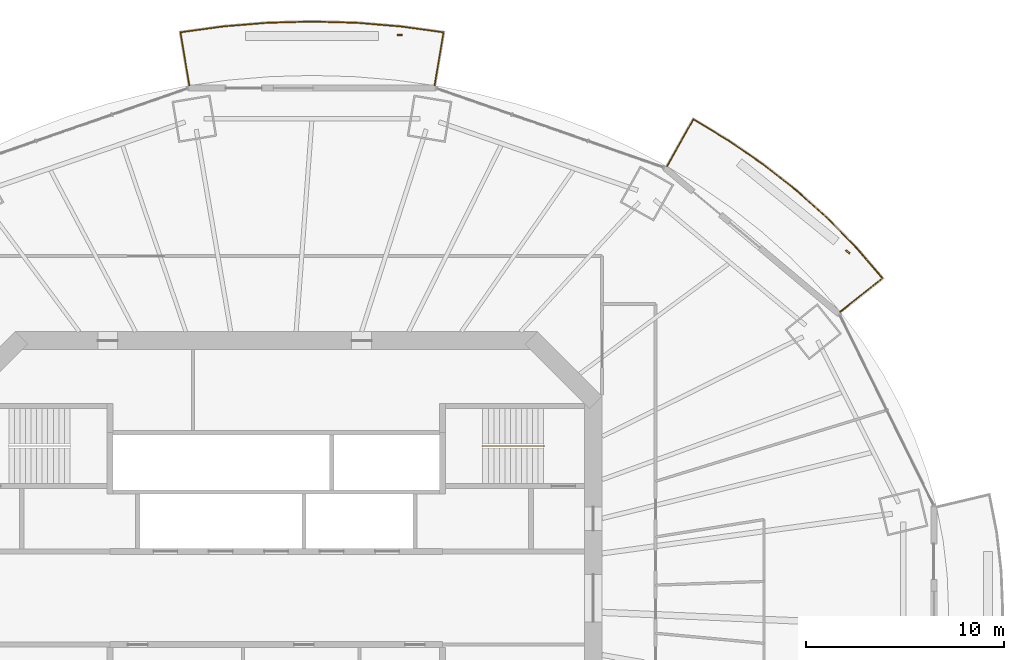
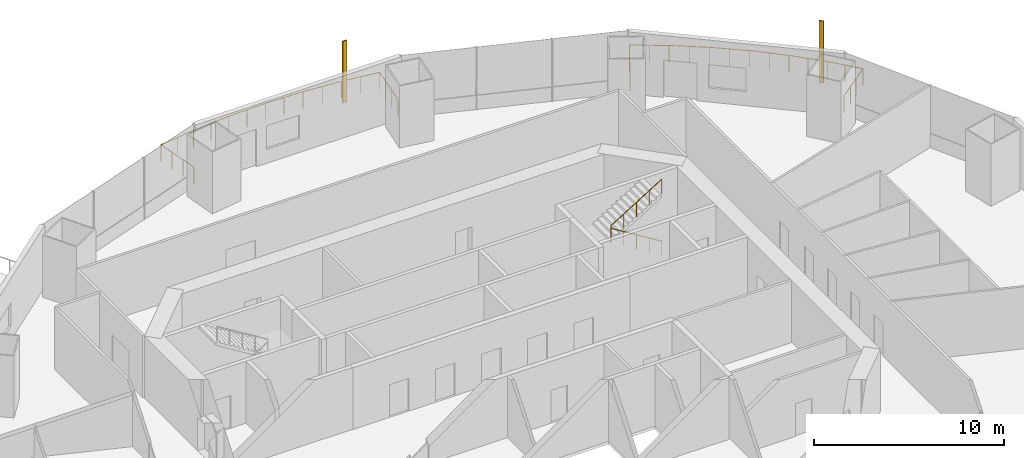
# One storey, part 18 of 20: 3 railings, 2 shading devices.
"""IFC4 building model written with IfcOpenShell, lengths in metres."""

from ifc_helpers import new_model, si_unit, direction, frame, origin, origin_2d, place, context, subcontext, project, spatial, rectangle, circle, extrude, material, material_profile, profile_set, type_object, element, save


model = new_model("IFC4")

# Units and contexts
model_context = context("Model", 3, precision=1e-05, world=origin(), true_north=direction((0.0, 1.0)))
body_context = subcontext(model_context, "Body", "Model", "MODEL_VIEW")
ifc_project = project(units=[si_unit("LENGTHUNIT", "METRE"), si_unit("AREAUNIT", "SQUARE_METRE"), si_unit("VOLUMEUNIT", "CUBIC_METRE"), si_unit("PLANEANGLEUNIT", "RADIAN"), si_unit("MASSUNIT", "GRAM", prefix="KILO")], contexts=[model_context])

# Site, building, storey
site_placement = place(None, origin())
site = spatial("IfcSite", under=ifc_project, at=site_placement, CompositionType="ELEMENT")
building_placement = place(site_placement, origin())
building = spatial("IfcBuilding", under=site, at=building_placement, Name="Marenthal Gate Tower", CompositionType="ELEMENT")
storey_placement = place(building_placement, frame((0.0, 0.0, 190.10009765625)))
storey = spatial("IfcBuildingStorey", under=building, at=storey_placement, Name="L41", CompositionType="ELEMENT", Elevation=190.10009765625)

# Railings
ifc_material_1 = material(Name="Stainless steel", Category="steel")
railing_type_1 = type_object("IfcRailingType", Name="Balcony guard 1100", PredefinedType="GUARDRAIL", material=ifc_material_1)
railing_1_placement = place(storey_placement, frame((19.722900390625, 21.794677734375, 0.0)))
element("IfcRailing", 1, at=railing_1_placement, inside=storey, type_object=railing_type_1, Name="Balcony guard L41 bay 2", PredefinedType="GUARDRAIL", context=body_context, shape_type="SweptSolid", body=[
    extrude(circle(Radius=0.02392578125, at=origin_2d()), frame((0.0, 0.0, 1.076171875), z_axis=(0.489547574491, 0.871852371435, -0.014717837253), x_axis=(-0.871946814813, 0.489600604715, 0.0)), (0.0, 0.0, 1.0), 2.720458984375),
    extrude(circle(Radius=0.02392578125, at=origin_2d()), frame((1.331787109375, 2.371826171875, 1.0361328125), z_axis=(0.856237767515, -0.516581925236, 0.0), x_axis=(0.516581925236, 0.856237767515, 0.0)), (0.0, 0.0, 1.0), 2.080810546875),
    extrude(circle(Radius=0.02392578125, at=origin_2d()), frame((3.113525390625, 1.296875, 1.0361328125), z_axis=(0.823420107604, -0.567432221849, 0.0), x_axis=(0.567432221849, 0.823420107604, 0.0)), (0.0, 0.0, 1.0), 2.14404296875),
    extrude(circle(Radius=0.02392578125, at=origin_2d()), frame((4.87890625, 0.080322265625, 1.0361328125), z_axis=(0.786051281146, -0.61816129239, 0.0), x_axis=(0.61816129239, 0.786051281146, 0.0)), (0.0, 0.0, 1.0), 2.1259765625),
    extrude(circle(Radius=0.02392578125, at=origin_2d()), frame((6.550048828125, -1.23388671875, 1.0361328125), z_axis=(0.744571425907, -0.667542801416, 0.0), x_axis=(0.667542801416, 0.744571425907, 0.0)), (0.0, 0.0, 1.0), 2.107666015625),
    extrude(circle(Radius=0.02392578125, at=origin_2d()), frame((8.119384765625, -2.640869140625, 1.0361328125), z_axis=(0.69888270328, -0.715236301551, 0.0), x_axis=(0.715236301551, 0.69888270328, 0.0)), (0.0, 0.0, 1.0), 2.090087890625),
    extrude(circle(Radius=0.02392578125, at=origin_2d()), frame((9.580078125, -4.1357421875, 1.0361328125), z_axis=(0.65027659014, -0.759697542655, 0.0), x_axis=(0.759697542655, 0.65027659014, 0.0)), (0.0, 0.0, 1.0), 1.992431640625),
    extrude(circle(Radius=0.02392578125, at=origin_2d()), frame((10.875732421875, -5.6494140625, 1.0361328125), z_axis=(-0.782654389214, -0.622282483065, 0.01471795893), x_axis=(0.622349892908, -0.782739171626, 0.0)), (0.0, 0.0, 1.0), 2.720458984375),
    extrude(circle(Radius=0.02099609375, at=origin_2d()), origin(), (0.0, 0.0, 1.0), 1.052001953125),
    extrude(circle(Radius=0.02099609375, at=origin_2d()), frame((0.44384765625, 0.79052734375, -0.013427734375)), (0.0, 0.0, 1.0), 1.052001953125),
    extrude(circle(Radius=0.02099609375, at=origin_2d()), frame((0.887939453125, 1.581298828125, -0.026611328125)), (0.0, 0.0, 1.0), 1.052001953125),
    extrude(circle(Radius=0.02099609375, at=origin_2d()), frame((1.331787109375, 2.371826171875, -0.0400390625)), (0.0, 0.0, 1.0), 1.052001953125),
    extrude(circle(Radius=0.02099609375, at=origin_2d()), frame((2.22265625, 1.83447265625, -0.0400390625)), (0.0, 0.0, 1.0), 1.052001953125),
    extrude(circle(Radius=0.02099609375, at=origin_2d()), frame((3.113525390625, 1.296875, -0.0400390625)), (0.0, 0.0, 1.0), 1.052001953125),
    extrude(circle(Radius=0.02099609375, at=origin_2d()), frame((3.99609375, 0.6884765625, -0.0400390625)), (0.0, 0.0, 1.0), 1.052001953125),
    extrude(circle(Radius=0.02099609375, at=origin_2d()), frame((4.87890625, 0.080322265625, -0.0400390625)), (0.0, 0.0, 1.0), 1.052001953125),
    extrude(circle(Radius=0.02099609375, at=origin_2d()), frame((5.71435546875, -0.57666015625, -0.0400390625)), (0.0, 0.0, 1.0), 1.052001953125),
    extrude(circle(Radius=0.02099609375, at=origin_2d()), frame((6.550048828125, -1.23388671875, -0.0400390625)), (0.0, 0.0, 1.0), 1.052001953125),
    extrude(circle(Radius=0.02099609375, at=origin_2d()), frame((7.334716796875, -1.9375, -0.0400390625)), (0.0, 0.0, 1.0), 1.052001953125),
    extrude(circle(Radius=0.02099609375, at=origin_2d()), frame((8.119384765625, -2.640869140625, -0.0400390625)), (0.0, 0.0, 1.0), 1.052001953125),
    extrude(circle(Radius=0.02099609375, at=origin_2d()), frame((8.849609375, -3.38818359375, -0.0400390625)), (0.0, 0.0, 1.0), 1.052001953125),
    extrude(circle(Radius=0.02099609375, at=origin_2d()), frame((9.580078125, -4.1357421875, -0.0400390625)), (0.0, 0.0, 1.0), 1.052001953125),
    extrude(circle(Radius=0.02099609375, at=origin_2d()), frame((10.22802734375, -4.892578125, -0.0400390625)), (0.0, 0.0, 1.0), 1.052001953125),
    extrude(circle(Radius=0.02099609375, at=origin_2d()), frame((10.875732421875, -5.6494140625, -0.0400390625)), (0.0, 0.0, 1.0), 1.052001953125),
    extrude(circle(Radius=0.02099609375, at=origin_2d()), frame((10.166015625, -6.213623046875, -0.026611328125)), (0.0, 0.0, 1.0), 1.052001953125),
    extrude(circle(Radius=0.02099609375, at=origin_2d()), frame((9.456298828125, -6.778076171875, -0.013427734375)), (0.0, 0.0, 1.0), 1.052001953125),
    extrude(circle(Radius=0.02099609375, at=origin_2d()), frame((8.74658203125, -7.34228515625, 0.0)), (0.0, 0.0, 1.0), 1.052001953125),
])
railing_2_placement = place(storey_placement, frame((-4.390380859375, 25.875732421875, 0.0)))
element("IfcRailing", 2, at=railing_2_placement, inside=storey, type_object=railing_type_1, Name="Balcony guard L41 bay 4", PredefinedType="GUARDRAIL", context=body_context, shape_type="SweptSolid", body=[
    extrude(circle(Radius=0.02392578125, at=origin_2d()), frame((0.0, 0.0, 1.076171875), z_axis=(-0.164774109377, 0.986221507592, -0.014718384498), x_axis=(-0.986328347949, -0.164791959854, 0.0)), (0.0, 0.0, 1.0), 2.720458984375),
    extrude(circle(Radius=0.02392578125, at=origin_2d()), frame((-0.4482421875, 2.682861328125, 1.0361328125), z_axis=(0.990664759644, 0.136320702755, 0.0), x_axis=(-0.136320702755, 0.990664759644, 0.0)), (0.0, 0.0, 1.0), 2.165283203125),
    extrude(circle(Radius=0.02392578125, at=origin_2d()), frame((1.69677734375, 2.97802734375, 1.0361328125), z_axis=(0.996603137393, 0.082354031713, 0.0), x_axis=(-0.082354031713, 0.996603137393, 0.0)), (0.0, 0.0, 1.0), 2.25),
    extrude(circle(Radius=0.02392578125, at=origin_2d()), frame((3.939208984375, 3.163330078125, 1.0361328125), z_axis=(0.999620829683, 0.027535374768, 0.0), x_axis=(-0.027535374768, 0.999620829683, 0.0)), (0.0, 0.0, 1.0), 2.251953125),
    extrude(circle(Radius=0.02392578125, at=origin_2d()), frame((6.1904296875, 3.225341796875, 1.0361328125), z_axis=(0.999620829683, -0.027535374768, 0.0), x_axis=(0.027535374768, 0.999620829683, 0.0)), (0.0, 0.0, 1.0), 2.251953125),
    extrude(circle(Radius=0.02392578125, at=origin_2d()), frame((8.441650390625, 3.163330078125, 1.0361328125), z_axis=(0.996603137393, -0.082354031713, 0.0), x_axis=(0.082354031713, 0.996603137393, 0.0)), (0.0, 0.0, 1.0), 2.25),
    extrude(circle(Radius=0.02392578125, at=origin_2d()), frame((10.68408203125, 2.97802734375, 1.0361328125), z_axis=(0.990664759644, -0.136320702755, 0.0), x_axis=(0.136320702755, 0.990664759644, 0.0)), (0.0, 0.0, 1.0), 2.165283203125),
    extrude(circle(Radius=0.02392578125, at=origin_2d()), frame((12.8291015625, 2.682861328125, 1.0361328125), z_axis=(-0.16486141703, -0.98620691984, 0.01471816679), x_axis=(0.986313755456, -0.164879276438, 0.0)), (0.0, 0.0, 1.0), 2.720458984375),
    extrude(circle(Radius=0.02099609375, at=origin_2d()), origin(), (0.0, 0.0, 1.0), 1.052001953125),
    extrude(circle(Radius=0.02099609375, at=origin_2d()), frame((-0.1494140625, 0.894287109375, -0.013427734375)), (0.0, 0.0, 1.0), 1.052001953125),
    extrude(circle(Radius=0.02099609375, at=origin_2d()), frame((-0.298828125, 1.78857421875, -0.026611328125)), (0.0, 0.0, 1.0), 1.052001953125),
    extrude(circle(Radius=0.02099609375, at=origin_2d()), frame((-0.4482421875, 2.682861328125, -0.0400390625)), (0.0, 0.0, 1.0), 1.052001953125),
    extrude(circle(Radius=0.02099609375, at=origin_2d()), frame((0.624267578125, 2.83056640625, -0.0400390625)), (0.0, 0.0, 1.0), 1.052001953125),
    extrude(circle(Radius=0.02099609375, at=origin_2d()), frame((1.69677734375, 2.97802734375, -0.0400390625)), (0.0, 0.0, 1.0), 1.052001953125),
    extrude(circle(Radius=0.02099609375, at=origin_2d()), frame((2.81787109375, 3.07080078125, -0.0400390625)), (0.0, 0.0, 1.0), 1.052001953125),
    extrude(circle(Radius=0.02099609375, at=origin_2d()), frame((3.939208984375, 3.163330078125, -0.0400390625)), (0.0, 0.0, 1.0), 1.052001953125),
    extrude(circle(Radius=0.02099609375, at=origin_2d()), frame((5.06494140625, 3.1943359375, -0.0400390625)), (0.0, 0.0, 1.0), 1.052001953125),
    extrude(circle(Radius=0.02099609375, at=origin_2d()), frame((6.1904296875, 3.225341796875, -0.0400390625)), (0.0, 0.0, 1.0), 1.052001953125),
    extrude(circle(Radius=0.02099609375, at=origin_2d()), frame((7.31591796875, 3.1943359375, -0.0400390625)), (0.0, 0.0, 1.0), 1.052001953125),
    extrude(circle(Radius=0.02099609375, at=origin_2d()), frame((8.441650390625, 3.163330078125, -0.0400390625)), (0.0, 0.0, 1.0), 1.052001953125),
    extrude(circle(Radius=0.02099609375, at=origin_2d()), frame((9.56298828125, 3.07080078125, -0.0400390625)), (0.0, 0.0, 1.0), 1.052001953125),
    extrude(circle(Radius=0.02099609375, at=origin_2d()), frame((10.68408203125, 2.97802734375, -0.0400390625)), (0.0, 0.0, 1.0), 1.052001953125),
    extrude(circle(Radius=0.02099609375, at=origin_2d()), frame((11.756591796875, 2.83056640625, -0.0400390625)), (0.0, 0.0, 1.0), 1.052001953125),
    extrude(circle(Radius=0.02099609375, at=origin_2d()), frame((12.8291015625, 2.682861328125, -0.0400390625)), (0.0, 0.0, 1.0), 1.052001953125),
    extrude(circle(Radius=0.02099609375, at=origin_2d()), frame((12.6796875, 1.78857421875, -0.026611328125)), (0.0, 0.0, 1.0), 1.052001953125),
    extrude(circle(Radius=0.02099609375, at=origin_2d()), frame((12.530029296875, 0.894287109375, -0.013427734375)), (0.0, 0.0, 1.0), 1.052001953125),
    extrude(circle(Radius=0.02099609375, at=origin_2d()), frame((12.380615234375, 0.0, 0.0)), (0.0, 0.0, 1.0), 1.052001953125),
])
ifc_material_2 = material(Name="Stainless steel", Category="steel")
railing_type_2 = type_object("IfcRailingType", Name="Stair handrail", PredefinedType="HANDRAIL", material=ifc_material_2)
railing_3_placement = place(storey_placement, frame((13.5, 7.675048828125, 0.1728515625)))
element("IfcRailing", 3, at=railing_3_placement, inside=storey, type_object=railing_type_2, Name="Handrail ST3", PredefinedType="HANDRAIL", context=body_context, shape_type="SweptSolid", body=[
    extrude(circle(Radius=0.0224609375, at=origin_2d()), frame((0.0, 0.0, 0.927490234375), z_axis=(-0.850835241893, 0.0, 0.525432575268), x_axis=(0.0, -1.0, 0.0)), (0.0, 0.0, 1.0), 3.6201171875),
    extrude(circle(Radius=0.0224609375, at=origin_2d()), frame((-3.080078125, 0.0, 2.82958984375), z_axis=(0.0, 0.0, 1.0), x_axis=(1.0, 0.0, 0.0)), (0.0, 0.0, 1.0), 0.1728515625),
    extrude(circle(Radius=0.0224609375, at=origin_2d()), frame((-3.080078125, 0.0, 3.00244140625), z_axis=(0.850835241893, 0.0, 0.525432575268), x_axis=(0.0, 1.0, 0.0)), (0.0, 0.0, 1.0), 3.6201171875),
    extrude(circle(Radius=0.02001953125, at=origin_2d()), origin(), (0.0, 0.0, 1.0), 0.905029296875),
    extrude(circle(Radius=0.02001953125, at=origin_2d()), frame((-0.77001953125, 0.0, 0.4755859375)), (0.0, 0.0, 1.0), 0.905029296875),
    extrude(circle(Radius=0.02001953125, at=origin_2d()), frame((-1.5400390625, 0.0, 0.951171875)), (0.0, 0.0, 1.0), 0.905029296875),
    extrude(circle(Radius=0.02001953125, at=origin_2d()), frame((-2.31005859375, 0.0, 1.426513671875)), (0.0, 0.0, 1.0), 0.905029296875),
    extrude(circle(Radius=0.02001953125, at=origin_2d()), frame((-3.080078125, 0.0, 1.902099609375)), (0.0, 0.0, 1.0), 0.905029296875),
    extrude(circle(Radius=0.02001953125, at=origin_2d()), frame((-3.080078125, 0.0, 2.074951171875)), (0.0, 0.0, 1.0), 0.905029296875),
    extrude(circle(Radius=0.02001953125, at=origin_2d()), frame((-2.31005859375, 0.0, 2.550537109375)), (0.0, 0.0, 1.0), 0.905029296875),
    extrude(circle(Radius=0.02001953125, at=origin_2d()), frame((-1.5400390625, 0.0, 3.02587890625)), (0.0, 0.0, 1.0), 0.905029296875),
    extrude(circle(Radius=0.02001953125, at=origin_2d()), frame((-0.77001953125, 0.0, 3.50146484375)), (0.0, 0.0, 1.0), 0.905029296875),
    extrude(circle(Radius=0.02001953125, at=origin_2d()), frame((0.0, 0.0, 3.97705078125)), (0.0, 0.0, 1.0), 0.905029296875),
])

# Shading devices
ifc_material_3 = material(Name="Terracotta", Category="masonry")
ifc_material_profile = material_profile(ifc_material_3, rectangle(XDim=0.25, YDim=0.080078125, at=origin_2d()), Name="Terracotta baguette 250x80")
ifc_profile_set = profile_set([ifc_material_profile], Name="Terracotta")
shading_device_type = type_object("IfcShadingDeviceType", Name="Terracotta BAGUETTE SCREEN 250x80", PredefinedType="USERDEFINED", material=ifc_profile_set)
for number, where, z_axis, x_axis, name in (
    (4, (28.843505859375, 17.47509765625, -0.0400390625), (0.0, 0.0, 1.0), (-0.765779593212, 0.64310311352, 0.0), "Terracotta BAGUETTE L41 bay 2L"),
    (5, (6.23046875, 28.425048828125, -0.0400390625), (0.0, 0.0, 1.0), (-1.0, 0.0, 0.0), "Terracotta BAGUETTE L41 bay 4L"),
):
    element("IfcShadingDevice", number, at=place(storey_placement, frame(where, z_axis=z_axis, x_axis=x_axis)), inside=storey, type_object=shading_device_type, Name=name, ObjectType="BAGUETTE SCREEN", PredefinedType="USERDEFINED", context=body_context, shape_type="SweptSolid", body=[
        extrude(rectangle(XDim=0.25, YDim=0.080078125, at=origin_2d()), origin(), (0.0, 0.0, 1.0), 3.969970703125),
    ])

save(model, "model.ifc")
